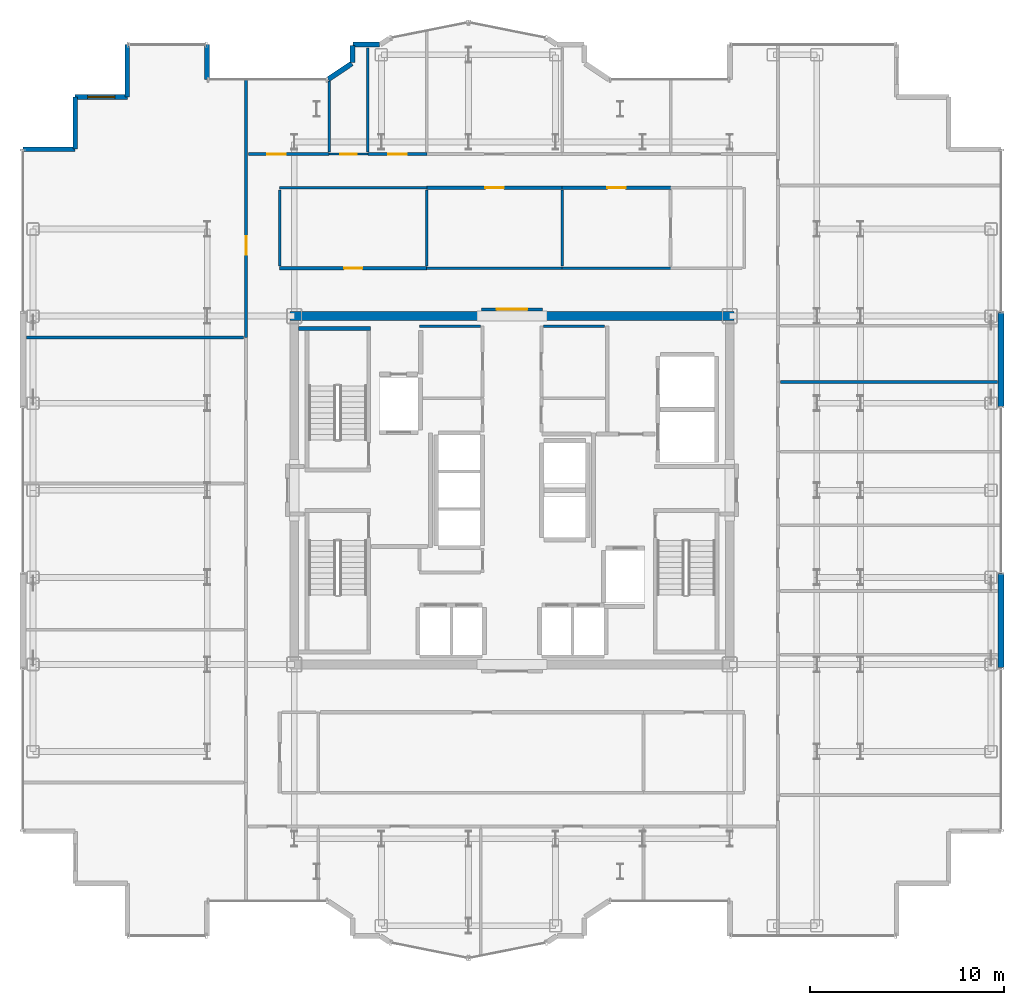
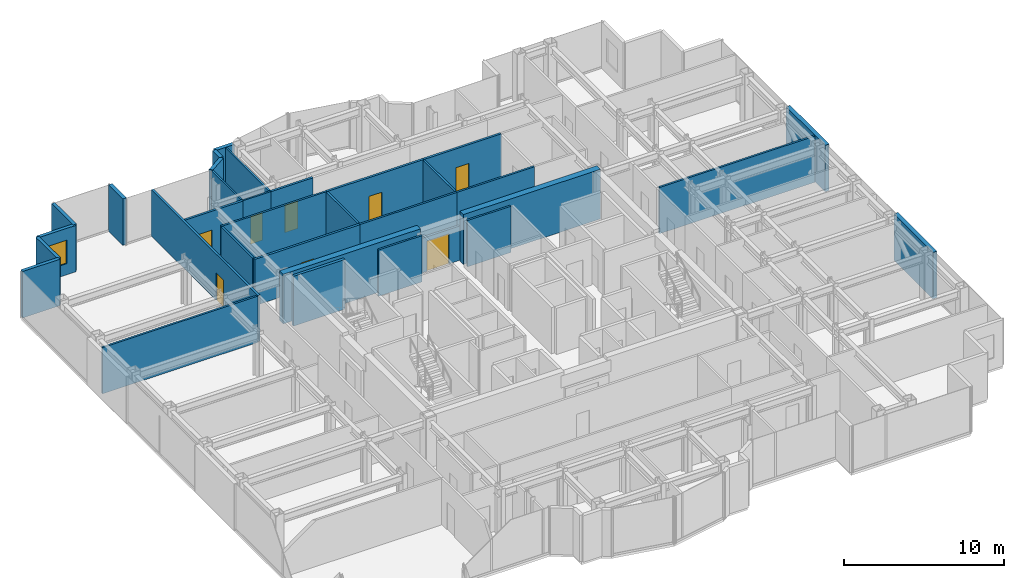
# One storey, part 19 of 21: 33 walls, 8 doors, 1 window, 9 openings.
"""IFC4 building model written with IfcOpenShell, lengths in metres."""

from ifc_helpers import new_model, si_unit, direction, frame, frame_2d, origin, place, context, subcontext, project, spatial, rectangle, extrude, source, transform, mapped, material, layer, layer_set, type_object, element, fill, save


model = new_model("IFC4")

# Units and contexts
model_context = context("Model", 3, precision=1e-05, world=origin(), true_north=direction((0.0, 1.0)))
body_context = subcontext(model_context, "Body", "Model", "MODEL_VIEW")
ifc_project = project(units=[si_unit("LENGTHUNIT", "METRE"), si_unit("AREAUNIT", "SQUARE_METRE"), si_unit("VOLUMEUNIT", "CUBIC_METRE"), si_unit("PLANEANGLEUNIT", "RADIAN"), si_unit("MASSUNIT", "GRAM", prefix="KILO")], contexts=[model_context])

# Site, building, storey
site_placement = place(None, origin())
site = spatial("IfcSite", under=ifc_project, at=site_placement, CompositionType="ELEMENT")
building_placement = place(site_placement, origin())
building = spatial("IfcBuilding", under=site, at=building_placement, Name="Nefas-Gora Pilgrimage Tower", CompositionType="ELEMENT")
storey_placement = place(building_placement, frame((0.0, 0.0, 252.199951171875)))
storey = spatial("IfcBuildingStorey", under=building, at=storey_placement, Name="L63", CompositionType="ELEMENT", Elevation=252.199951171875)

# Walls
ifc_material_1 = material(Name="Concrete C50/60", Category="concrete")
ifc_layer_1 = layer(ifc_material_1, 0.449951171875)
ifc_layer_set_1 = layer_set([ifc_layer_1], Name="Concrete C50/60")
wall_type_1 = type_object("IfcWallType", Name="SW-CORE-450", PredefinedType="SHEAR", material=ifc_layer_set_1)
shared_shape_1 = source(origin(), body_context, "Body", "SweptSolid", [
    extrude(rectangle(XDim=9.925048828125, YDim=0.449951171875, at=frame_2d((4.96240234375, 0.0))), origin(), (0.0, 0.0, 1.0), 3.800048828125),
])
for number, where, z_axis, x_axis, name in (
    (1, (-11.47509765625, 9.0, 0.0), (0.0, 0.0, 1.0), (1.0, 0.0, 0.0), "L63 Core Shear Wall N-West"),
    (2, (1.550048828125, 9.0, 0.0), (0.0, 0.0, 1.0), (1.0, 0.0, 0.0), "L63 Core Shear Wall N-East"),
):
    element("IfcWall", number, at=place(storey_placement, frame(where, z_axis=z_axis, x_axis=x_axis)), inside=storey, type_object=wall_type_1, Name=name, PredefinedType="SHEAR", context=body_context, shape_type="MappedRepresentation", body=[
        mapped(shared_shape_1, transform((0.0, 0.0, 0.0), x_axis=(1.0, 0.0, 0.0), y_axis=(0.0, 1.0, 0.0), z_axis=(0.0, 0.0, 1.0), scale=1.0)),
    ])
ifc_material_2 = material(Name="Precast concrete C45/55", Category="concrete")
ifc_layer_2 = layer(ifc_material_2, 0.239990234375)
ifc_layer_set_2 = layer_set([ifc_layer_2], Name="Precast concrete C45/55")
wall_type_2 = type_object("IfcWallType", Name="EW-SERR-240", PredefinedType="SHEAR", material=ifc_layer_set_2)
shared_shape_2 = source(origin(), body_context, "Body", "SweptSolid", [
    extrude(rectangle(XDim=4.8798828125, YDim=0.300048828125, at=frame_2d((2.43994140625, 0.0))), origin(), (0.0, 0.0, 1.0), 3.550048828125),
])
for number, where, z_axis, x_axis, name in (
    (3, (25.27001953125, -9.18994140625, 0.0), (0.0, 0.0, 1.0), (0.0, 1.0, 0.0), "L63 Braced-Tube Precast Shear Cladding 3"),
    (4, (25.27001953125, 4.31005859375, 0.0), (0.0, 0.0, 1.0), (0.0, 1.0, 0.0), "L63 Braced-Tube Precast Shear Cladding 4"),
):
    element("IfcWall", number, at=place(storey_placement, frame(where, z_axis=z_axis, x_axis=x_axis)), inside=storey, type_object=wall_type_2, Name=name, PredefinedType="SHEAR", context=body_context, shape_type="MappedRepresentation", body=[
        mapped(shared_shape_2, transform((0.0, 0.0, 0.0), x_axis=(1.0, 0.0, 0.0), y_axis=(0.0, 1.0, 0.0), z_axis=(0.0, 0.0, 1.0), scale=1.0)),
    ])
ifc_material_3 = material(Name="Precast concrete C40/50", Category="concrete")
ifc_layer_3 = layer(ifc_material_3, 0.260009765625)
ifc_layer_set_3 = layer_set([ifc_layer_3], Name="Precast concrete C40/50")
wall_type_3 = type_object("IfcWallType", Name="EW-PORTAL-260", PredefinedType="SOLIDWALL", material=ifc_layer_set_3)
shared_shape_3 = source(origin(), body_context, "Body", "SweptSolid", [
    extrude(rectangle(XDim=1.800048828125, YDim=0.260009765625, at=frame_2d((0.89990234375, 0.0))), origin(), (0.0, 0.0, 1.0), 3.550048828125),
])
wall_1_placement = place(storey_placement, frame((-15.75, 21.219970703125, 0.0), z_axis=(0.0, 0.0, 1.0), x_axis=(0.0, 1.0, 0.0)))
element("IfcWall", 5, at=wall_1_placement, inside=storey, type_object=wall_type_3, Name="L63 Lobe Shoulder Precast Spandrel Pier 23", PredefinedType="SOLIDWALL", context=body_context, shape_type="MappedRepresentation", body=[
    mapped(shared_shape_3, transform((0.0, 0.0, 0.0), x_axis=(1.0, 0.0, 0.0), y_axis=(0.0, 1.0, 0.0), z_axis=(0.0, 0.0, 1.0), scale=1.0)),
])
shared_shape_4 = source(origin(), body_context, "Body", "SweptSolid", [
    extrude(rectangle(XDim=2.699951171875, YDim=0.239990234375, at=frame_2d((1.35009765625, 0.0))), origin(), (0.0, 0.0, 1.0), 3.550048828125),
])
wall_2_placement = place(storey_placement, frame((-19.8701171875, 23.02001953125, 0.0), z_axis=(0.0, 0.0, 1.0), x_axis=(0.0, -1.0, 0.0)))
element("IfcWall", 6, at=wall_2_placement, inside=storey, type_object=wall_type_2, Name="L63 Serrated Corner Shear Pier Wall 24", PredefinedType="SHEAR", context=body_context, shape_type="MappedRepresentation", body=[
    mapped(shared_shape_4, transform((0.0, 0.0, 0.0), x_axis=(1.0, 0.0, 0.0), y_axis=(0.0, 1.0, 0.0), z_axis=(0.0, 0.0, 1.0), scale=1.0)),
])

# Wall, opening, window
wall_3_placement = place(storey_placement, frame((-19.8701171875, 20.320068359375, 0.0), z_axis=(0.0, 0.0, 1.0), x_axis=(-1.0, 0.0, 0.0)))
wall_3 = element("IfcWall", 7, at=wall_3_placement, inside=storey, type_object=wall_type_2, Name="L63 Serrated Corner Shear Pier Wall 25", PredefinedType="SHEAR", context=body_context, shape_type="MappedRepresentation", body=[
    mapped(shared_shape_4, transform((0.0, 0.0, 0.0), x_axis=(1.0, 0.0, 0.0), y_axis=(0.0, 1.0, 0.0), z_axis=(0.0, 0.0, 1.0), scale=1.0)),
])
opening_1_placement = place(wall_3_placement, frame((0.64990234375, 0.0, 0.85009765625)))
opening_1 = element("IfcOpeningElement", 8, at=opening_1_placement, cuts=wall_3, Name="Opening W-V2", PredefinedType="OPENING", context=body_context, shape_type="SweptSolid", body=[
    extrude(rectangle(XDim=1.39990234375, YDim=1.800048828125, at=frame_2d((0.699951171875, 0.89990234375))), frame((0.0, 0.1298828125, 0.0), z_axis=(0.0, -1.0, 0.0), x_axis=(1.0, 0.0, 0.0)), (0.0, 0.0, 1.0), 0.260009765625),
])
ifc_material_4 = material(Name="Dark ceramic-fritted operable aluminium-glass window", Category="aluminium")
window_type = type_object("IfcWindowType", Name="WIN-VENT-1400x1800", PartitioningType="SINGLE_PANEL", PredefinedType="WINDOW", material=ifc_material_4)
shared_shape_5 = source(origin(), body_context, "Body", "SweptSolid", [
    extrude(rectangle(XDim=1.39990234375, YDim=1.800048828125, at=frame_2d((0.699951171875, 0.89990234375))), frame((0.0, 0.030029296875, 0.0), z_axis=(0.0, -1.0, 0.0), x_axis=(1.0, 0.0, 0.0)), (0.0, 0.0, 1.0), 0.06005859375),
])
window_placement = place(opening_1_placement, origin())
window = element("IfcWindow", 9, at=window_placement, inside=storey, type_object=window_type, Name="L63 Operable Parallel-Outswing Window 25", OverallHeight=1.800048828125, OverallWidth=1.39990234375, PartitioningType="SINGLE_PANEL", PredefinedType="WINDOW", context=body_context, shape_type="MappedRepresentation", body=[
    mapped(shared_shape_5, transform((0.0, 0.0, 0.0), x_axis=(1.0, 0.0, 0.0), y_axis=(0.0, 1.0, 0.0), z_axis=(0.0, 0.0, 1.0), scale=1.0)),
])
fill(opening_1, window)

# Walls
for number, where, z_axis, x_axis, name in (
    (10, (-22.570068359375, 20.320068359375, 0.0), (0.0, 0.0, 1.0), (0.0, -1.0, 0.0), "L63 Serrated Corner Shear Pier Wall 26"),
    (11, (-22.570068359375, 17.6201171875, 0.0), (0.0, 0.0, 1.0), (-1.0, 0.0, 0.0), "L63 Serrated Corner Shear Pier Wall 27"),
):
    element("IfcWall", number, at=place(storey_placement, frame(where, z_axis=z_axis, x_axis=x_axis)), inside=storey, type_object=wall_type_2, Name=name, PredefinedType="SHEAR", context=body_context, shape_type="MappedRepresentation", body=[
        mapped(shared_shape_4, transform((0.0, 0.0, 0.0), x_axis=(1.0, 0.0, 0.0), y_axis=(0.0, 1.0, 0.0), z_axis=(0.0, 0.0, 1.0), scale=1.0)),
    ])
shared_shape_6 = source(origin(), body_context, "Body", "SweptSolid", [
    extrude(rectangle(XDim=1.468994140625, YDim=0.260009765625, at=frame_2d((0.734375, 0.0))), origin(), (0.0, 0.0, 1.0), 3.550048828125),
])
wall_4_placement = place(storey_placement, frame((-8.273193359375, 22.0517578125, 0.0), z_axis=(0.0, 0.0, 1.0), x_axis=(-0.831461760506, -0.555581983884, 0.0)))
element("IfcWall", 12, at=wall_4_placement, inside=storey, type_object=wall_type_3, Name="L63 Lobe Shoulder Precast Spandrel Pier 22", PredefinedType="SOLIDWALL", context=body_context, shape_type="MappedRepresentation", body=[
    mapped(shared_shape_6, transform((0.0, 0.0, 0.0), x_axis=(1.0, 0.0, 0.0), y_axis=(0.0, 1.0, 0.0), z_axis=(0.0, 0.0, 1.0), scale=1.0)),
])
shared_shape_7 = source(origin(), body_context, "Body", "SweptSolid", [
    extrude(rectangle(XDim=0.896728515625, YDim=0.260009765625, at=frame_2d((0.4482421875, 0.0))), origin(), (0.0, 0.0, 1.0), 3.550048828125),
])
wall_5_placement = place(storey_placement, frame((-8.25, 22.991943359375, 0.0), z_axis=(0.0, 0.0, 1.0), x_axis=(0.0, -1.0, 0.0)))
element("IfcWall", 13, at=wall_5_placement, inside=storey, type_object=wall_type_3, Name="L63 Lobe Shoulder Precast Spandrel Pier 21", PredefinedType="SOLIDWALL", context=body_context, shape_type="MappedRepresentation", body=[
    mapped(shared_shape_7, transform((0.0, 0.0, 0.0), x_axis=(1.0, 0.0, 0.0), y_axis=(0.0, 1.0, 0.0), z_axis=(0.0, 0.0, 1.0), scale=1.0)),
])
shared_shape_8 = source(origin(), body_context, "Body", "SweptSolid", [
    extrude(rectangle(XDim=1.369873046875, YDim=0.260009765625, at=frame_2d((0.68505859375, 0.0))), origin(), (0.0, 0.0, 1.0), 3.550048828125),
])
wall_6_placement = place(storey_placement, frame((-6.85205078125, 23.02001953125, 0.0), z_axis=(0.0, 0.0, 1.0), x_axis=(-1.0, 0.0, 0.0)))
element("IfcWall", 14, at=wall_6_placement, inside=storey, type_object=wall_type_3, Name="L63 Lobe Shoulder Precast Spandrel Pier 20", PredefinedType="SOLIDWALL", context=body_context, shape_type="MappedRepresentation", body=[
    mapped(shared_shape_8, transform((0.0, 0.0, 0.0), x_axis=(1.0, 0.0, 0.0), y_axis=(0.0, 1.0, 0.0), z_axis=(0.0, 0.0, 1.0), scale=1.0)),
])
ifc_material_5 = material(Name="Concrete C45/55", Category="concrete")
ifc_layer_4 = layer(ifc_material_5, 0.199951171875)
ifc_layer_set_4 = layer_set([ifc_layer_4], Name="Concrete C45/55")
wall_type_4 = type_object("IfcWallType", Name="IW-STAIR-200", PredefinedType="SOLIDWALL", material=ifc_layer_set_4)
shared_shape_9 = source(origin(), body_context, "Body", "SweptSolid", [
    extrude(rectangle(XDim=3.72998046875, YDim=0.199951171875, at=frame_2d((1.864990234375, 0.0))), origin(), (0.0, 0.0, 1.0), 3.800048828125),
])
wall_7_placement = place(storey_placement, frame((-7.300048828125, 8.35009765625, 0.0), z_axis=(0.0, 0.0, 1.0), x_axis=(-1.0, 0.0, 0.0)))
element("IfcWall", 15, at=wall_7_placement, inside=storey, type_object=wall_type_4, Name="L63 Stairwell Shear Wall ST-01-far", PredefinedType="SOLIDWALL", context=body_context, shape_type="MappedRepresentation", body=[
    mapped(shared_shape_9, transform((0.0, 0.0, 0.0), x_axis=(1.0, 0.0, 0.0), y_axis=(0.0, 1.0, 0.0), z_axis=(0.0, 0.0, 1.0), scale=1.0)),
])
ifc_material_6 = material(Name="Gypsum twin-stud partition")
ifc_layer_5 = layer(ifc_material_6, 0.139892578125)
ifc_layer_set_5 = layer_set([ifc_layer_5], Name="Gypsum twin-stud partition")
wall_type_5 = type_object("IfcWallType", Name="IW-UNIT-140", PredefinedType="PARTITIONING", material=ifc_layer_set_5)
shared_shape_10 = source(origin(), body_context, "Body", "SweptSolid", [
    extrude(rectangle(XDim=3.150146484375, YDim=0.139892578125, at=frame_2d((1.5751953125, 0.0))), origin(), (0.0, 0.0, 1.0), 3.53515625),
])
for number, where, z_axis, x_axis, name in (
    (16, (-4.7900390625, 8.47998046875, 0.0), (0.0, 0.0, 1.0), (1.0, 0.0, 0.0), "L63 Archival Supply Store Partition Wall 21"),
    (17, (1.639892578125, 8.47998046875, 0.0), (0.0, 0.0, 1.0), (1.0, 0.0, 0.0), "L63 Amenity Supply Store Partition Wall 25"),
):
    element("IfcWall", number, at=place(storey_placement, frame(where, z_axis=z_axis, x_axis=x_axis)), inside=storey, type_object=wall_type_5, Name=name, PredefinedType="PARTITIONING", context=body_context, shape_type="MappedRepresentation", body=[
        mapped(shared_shape_10, transform((0.0, 0.0, 0.0), x_axis=(1.0, 0.0, 0.0), y_axis=(0.0, 1.0, 0.0), z_axis=(0.0, 0.0, 1.0), scale=1.0)),
    ])

# Wall, opening, door
ifc_material_7 = material(Name="Moisture-resistant fire-rated gypsum partition")
ifc_layer_6 = layer(ifc_material_7, 0.1201171875)
ifc_layer_set_6 = layer_set([ifc_layer_6], Name="Moisture-resistant fire-rated gypsum partition")
wall_type_6 = type_object("IfcWallType", Name="IW-WET-120", PredefinedType="PLUMBINGWALL", material=ifc_layer_set_6)
shared_shape_11 = source(origin(), body_context, "Body", "SweptSolid", [
    extrude(rectangle(XDim=2.02001953125, YDim=0.1201171875, at=frame_2d((1.010009765625, 0.0))), origin(), (0.0, 0.0, 1.0), 3.53515625),
])
wall_8_placement = place(storey_placement, frame((-9.4599609375, 17.3701171875, 0.0), z_axis=(0.0, 0.0, 1.0), x_axis=(1.0, 0.0, 0.0)))
wall_8 = element("IfcWall", 18, at=wall_8_placement, inside=storey, type_object=wall_type_6, Name="L63 Accessible Unisex WC Partition Wall 29", PredefinedType="PLUMBINGWALL", context=body_context, shape_type="MappedRepresentation", body=[
    mapped(shared_shape_11, transform((0.0, 0.0, 0.0), x_axis=(1.0, 0.0, 0.0), y_axis=(0.0, 1.0, 0.0), z_axis=(0.0, 0.0, 1.0), scale=1.0)),
])
opening_2_placement = place(wall_8_placement, frame((0.5849609375, 0.0, 0.0)))
opening_2 = element("IfcOpeningElement", 19, at=opening_2_placement, cuts=wall_8, Name="Opening ID-BT1", PredefinedType="OPENING", context=body_context, shape_type="SweptSolid", body=[
    extrude(rectangle(XDim=0.85009765625, YDim=2.10009765625, at=frame_2d((0.425048828125, 1.050048828125))), frame((0.0, 0.070068359375, 0.0), z_axis=(0.0, -1.0, 0.0), x_axis=(1.0, 0.0, 0.0)), (0.0, 0.0, 1.0), 0.14013671875),
])
ifc_material_8 = material(Name="Moisture-resistant fire-rated timber door", Category="wood")
door_type_1 = type_object("IfcDoorType", Name="DR-INT-BATH-850", OperationType="NOTDEFINED", PredefinedType="DOOR", material=ifc_material_8)
shared_shape_12 = source(origin(), body_context, "Body", "SweptSolid", [
    extrude(rectangle(XDim=0.85009765625, YDim=2.10009765625, at=frame_2d((0.425048828125, 1.050048828125))), frame((0.0, 0.02490234375, 0.0), z_axis=(0.0, -1.0, 0.0), x_axis=(1.0, 0.0, 0.0)), (0.0, 0.0, 1.0), 0.050048828125),
])
door_1_placement = place(opening_2_placement, origin())
door_1 = element("IfcDoor", 20, at=door_1_placement, inside=storey, type_object=door_type_1, Name="L63 Accessible Unisex WC Door 12", OperationType="SINGLE_SWING_RIGHT", OverallHeight=2.10009765625, OverallWidth=0.85009765625, PredefinedType="DOOR", context=body_context, shape_type="MappedRepresentation", body=[
    mapped(shared_shape_12, transform((0.0, 0.0, 0.0), x_axis=(1.0, 0.0, 0.0), y_axis=(0.0, 1.0, 0.0), z_axis=(0.0, 0.0, 1.0), scale=1.0)),
])
fill(opening_2, door_1)

ifc_material_9 = material(Name="Gypsum acoustic stud partition")
ifc_layer_7 = layer(ifc_material_9, 0.159912109375)
ifc_layer_set_7 = layer_set([ifc_layer_7], Name="Gypsum acoustic stud partition")
wall_type_7 = type_object("IfcWallType", Name="IW-CORR-160", PredefinedType="PARTITIONING", material=ifc_layer_set_7)
shared_shape_13 = source(origin(), body_context, "Body", "SweptSolid", [
    extrude(rectangle(XDim=5.610107421875, YDim=0.159912109375, at=frame_2d((2.80517578125, 0.0))), origin(), (0.0, 0.0, 1.0), 3.53515625),
])
wall_9_placement = place(storey_placement, frame((2.594970703125, 15.6298828125, 0.0), z_axis=(0.0, 0.0, 1.0), x_axis=(1.0, 0.0, 0.0)))
wall_9 = element("IfcWall", 21, at=wall_9_placement, inside=storey, type_object=wall_type_7, Name="L63 Pilgrim Contemplative Lounge Partition Wall 72", PredefinedType="PARTITIONING", context=body_context, shape_type="MappedRepresentation", body=[
    mapped(shared_shape_13, transform((0.0, 0.0, 0.0), x_axis=(1.0, 0.0, 0.0), y_axis=(0.0, 1.0, 0.0), z_axis=(0.0, 0.0, 1.0), scale=1.0)),
])
opening_3_placement = place(wall_9_placement, frame((2.330078125, 0.0, 0.0)))
opening_3 = element("IfcOpeningElement", 22, at=opening_3_placement, cuts=wall_9, Name="Opening ID-GR1", PredefinedType="OPENING", context=body_context, shape_type="SweptSolid", body=[
    extrude(rectangle(XDim=0.949951171875, YDim=2.10009765625, at=frame_2d((0.47509765625, 1.050048828125))), frame((0.0, 0.08984375, 0.0), z_axis=(0.0, -1.0, 0.0), x_axis=(1.0, 0.0, 0.0)), (0.0, 0.0, 1.0), 0.179931640625),
])
ifc_material_10 = material(Name="Solid core oak fire-rated guest entrance door")
door_type_2 = type_object("IfcDoorType", Name="DR-INT-GUEST-950", OperationType="NOTDEFINED", PredefinedType="DOOR", material=ifc_material_10)
shared_shape_14 = source(origin(), body_context, "Body", "SweptSolid", [
    extrude(rectangle(XDim=0.949951171875, YDim=2.10009765625, at=frame_2d((0.47509765625, 1.050048828125))), frame((0.0, 0.02490234375, 0.0), z_axis=(0.0, -1.0, 0.0), x_axis=(1.0, 0.0, 0.0)), (0.0, 0.0, 1.0), 0.050048828125),
])
door_2_placement = place(opening_3_placement, origin())
door_2 = element("IfcDoor", 23, at=door_2_placement, inside=storey, type_object=door_type_2, Name="L63 Pilgrim Contemplative Lounge Door 33", OperationType="SINGLE_SWING_LEFT", OverallHeight=2.10009765625, OverallWidth=0.949951171875, PredefinedType="DOOR", context=body_context, shape_type="MappedRepresentation", body=[
    mapped(shared_shape_14, transform((0.0, 0.0, 0.0), x_axis=(1.0, 0.0, 0.0), y_axis=(0.0, 1.0, 0.0), z_axis=(0.0, 0.0, 1.0), scale=1.0)),
])
fill(opening_3, door_2)

shared_shape_15 = source(origin(), body_context, "Body", "SweptSolid", [
    extrude(rectangle(XDim=13.3525390625, YDim=0.159912109375, at=frame_2d((6.67626953125, 0.0))), origin(), (0.0, 0.0, 1.0), 3.53515625),
])
wall_10_placement = place(storey_placement, frame((-13.739990234375, 7.887451171875, 0.0), z_axis=(0.0, 0.0, 1.0), x_axis=(0.0, 1.0, 0.0)))
wall_10 = element("IfcWall", 24, at=wall_10_placement, inside=storey, type_object=wall_type_7, Name="L63 Pilgrim Devotional Prayer Gallery Partition Wall 36", PredefinedType="PARTITIONING", context=body_context, shape_type="MappedRepresentation", body=[
    mapped(shared_shape_15, transform((0.0, 0.0, 0.0), x_axis=(1.0, 0.0, 0.0), y_axis=(0.0, 1.0, 0.0), z_axis=(0.0, 0.0, 1.0), scale=1.0)),
])
opening_4_placement = place(wall_10_placement, frame((4.286376953125, 0.0, 0.0)))
opening_4 = element("IfcOpeningElement", 25, at=opening_4_placement, cuts=wall_10, Name="Opening ID-GR1", PredefinedType="OPENING", context=body_context, shape_type="SweptSolid", body=[
    extrude(rectangle(XDim=0.949951171875, YDim=2.10009765625, at=frame_2d((0.47509765625, 1.050048828125))), frame((0.0, 0.08984375, 0.0), z_axis=(0.0, -1.0, 0.0), x_axis=(1.0, 0.0, 0.0)), (0.0, 0.0, 1.0), 0.179931640625),
])
door_3_placement = place(opening_4_placement, origin())
door_3 = element("IfcDoor", 26, at=door_3_placement, inside=storey, type_object=door_type_2, Name="L63 Pilgrim Devotional Prayer Gallery Door 15", OperationType="SINGLE_SWING_LEFT", OverallHeight=2.10009765625, OverallWidth=0.949951171875, PredefinedType="DOOR", context=body_context, shape_type="MappedRepresentation", body=[
    mapped(shared_shape_14, transform((0.0, 0.0, 0.0), x_axis=(1.0, 0.0, 0.0), y_axis=(0.0, 1.0, 0.0), z_axis=(0.0, 0.0, 1.0), scale=1.0)),
])
fill(opening_4, door_3)

# Walls
shared_shape_16 = source(origin(), body_context, "Body", "SweptSolid", [
    extrude(rectangle(XDim=5.380126953125, YDim=0.1201171875, at=frame_2d((2.68994140625, 0.0))), origin(), (0.0, 0.0, 1.0), 3.53515625),
])
wall_11_placement = place(storey_placement, frame((-7.449951171875, 17.469970703125, 0.0), z_axis=(0.0, 0.0, 1.0), x_axis=(0.0, 1.0, 0.0)))
element("IfcWall", 27, at=wall_11_placement, inside=storey, type_object=wall_type_6, Name="L63 Accessible Unisex WC Partition Wall 30", PredefinedType="PLUMBINGWALL", context=body_context, shape_type="MappedRepresentation", body=[
    mapped(shared_shape_16, transform((0.0, 0.0, 0.0), x_axis=(1.0, 0.0, 0.0), y_axis=(0.0, 1.0, 0.0), z_axis=(0.0, 0.0, 1.0), scale=1.0)),
])
shared_shape_17 = source(origin(), body_context, "Body", "SweptSolid", [
    extrude(rectangle(XDim=3.686767578125, YDim=0.1201171875, at=frame_2d((1.84326171875, 0.0))), origin(), (0.0, 0.0, 1.0), 3.53515625),
])
wall_12_placement = place(storey_placement, frame((-9.449951171875, 17.469970703125, 0.0), z_axis=(0.0, 0.0, 1.0), x_axis=(0.0, 1.0, 0.0)))
element("IfcWall", 28, at=wall_12_placement, inside=storey, type_object=wall_type_6, Name="L63 Accessible Unisex WC Partition Wall 31", PredefinedType="PLUMBINGWALL", context=body_context, shape_type="MappedRepresentation", body=[
    mapped(shared_shape_17, transform((0.0, 0.0, 0.0), x_axis=(1.0, 0.0, 0.0), y_axis=(0.0, 1.0, 0.0), z_axis=(0.0, 0.0, 1.0), scale=1.0)),
])
shared_shape_18 = source(origin(), body_context, "Body", "SweptSolid", [
    extrude(rectangle(XDim=3.929931640625, YDim=0.139892578125, at=frame_2d((1.96484375, 0.0))), origin(), (0.0, 0.0, 1.0), 3.53515625),
])
for number, where, z_axis, x_axis, name in (
    (29, (-12.0, 11.590087890625, 0.0), (0.0, 0.0, 1.0), (0.0, 1.0, 0.0), "L63 Pilgrim Contemplative Lounge Partition Wall 60"),
    (30, (-4.405029296875, 11.590087890625, 0.0), (0.0, 0.0, 1.0), (0.0, 1.0, 0.0), "L63 Pilgrim Contemplative Lounge Partition Wall 61"),
    (31, (2.594970703125, 11.580078125, 0.0), (0.0, 0.0, 1.0), (0.0, 1.0, 0.0), "L63 Pilgrim Contemplative Lounge Partition Wall 69"),
):
    element("IfcWall", number, at=place(storey_placement, frame(where, z_axis=z_axis, x_axis=x_axis)), inside=storey, type_object=wall_type_5, Name=name, PredefinedType="PARTITIONING", context=body_context, shape_type="MappedRepresentation", body=[
        mapped(shared_shape_18, transform((0.0, 0.0, 0.0), x_axis=(1.0, 0.0, 0.0), y_axis=(0.0, 1.0, 0.0), z_axis=(0.0, 0.0, 1.0), scale=1.0)),
    ])

# Wall, opening, door
shared_shape_19 = source(origin(), body_context, "Body", "SweptSolid", [
    extrude(rectangle(XDim=4.16015625, YDim=0.159912109375, at=frame_2d((2.080078125, 0.0))), origin(), (0.0, 0.0, 1.0), 3.53515625),
])
wall_13_placement = place(storey_placement, frame((-13.6201171875, 17.3701171875, 0.0), z_axis=(0.0, 0.0, 1.0), x_axis=(1.0, 0.0, 0.0)))
wall_13 = element("IfcWall", 32, at=wall_13_placement, inside=storey, type_object=wall_type_7, Name="L63 Pilgrim Contemplative Lounge Partition Wall 64", PredefinedType="PARTITIONING", context=body_context, shape_type="MappedRepresentation", body=[
    mapped(shared_shape_19, transform((0.0, 0.0, 0.0), x_axis=(1.0, 0.0, 0.0), y_axis=(0.0, 1.0, 0.0), z_axis=(0.0, 0.0, 1.0), scale=1.0)),
])
opening_5_placement = place(wall_13_placement, frame((0.968994140625, 0.0, 0.0)))
opening_5 = element("IfcOpeningElement", 33, at=opening_5_placement, cuts=wall_13, Name="Opening ID-GR1", PredefinedType="OPENING", context=body_context, shape_type="SweptSolid", body=[
    extrude(rectangle(XDim=0.949951171875, YDim=2.10009765625, at=frame_2d((0.47509765625, 1.050048828125))), frame((0.0, 0.08984375, 0.0), z_axis=(0.0, -1.0, 0.0), x_axis=(1.0, 0.0, 0.0)), (0.0, 0.0, 1.0), 0.179931640625),
])
door_4_placement = place(opening_5_placement, origin())
door_4 = element("IfcDoor", 34, at=door_4_placement, inside=storey, type_object=door_type_2, Name="L63 Pilgrim Contemplative Lounge Door 29", OperationType="SINGLE_SWING_LEFT", OverallHeight=2.10009765625, OverallWidth=0.949951171875, PredefinedType="DOOR", context=body_context, shape_type="MappedRepresentation", body=[
    mapped(shared_shape_14, transform((0.0, 0.0, 0.0), x_axis=(1.0, 0.0, 0.0), y_axis=(0.0, 1.0, 0.0), z_axis=(0.0, 0.0, 1.0), scale=1.0)),
])
fill(opening_5, door_4)

# Walls
shared_shape_20 = source(origin(), body_context, "Body", "SweptSolid", [
    extrude(rectangle(XDim=11.219970703125, YDim=0.139892578125, at=frame_2d((5.60986328125, 0.0))), origin(), (0.0, 0.0, 1.0), 3.53515625),
])
for number, where, z_axis, x_axis, name in (
    (35, (-25.080078125, 7.8974609375, 0.0), (0.0, 0.0, 1.0), (1.0, 0.0, 0.0), "L63 Pilgrim Devotional Prayer Gallery Partition Wall 37"),
    (36, (13.860107421875, 5.594970703125, 0.0), (0.0, 0.0, 1.0), (1.0, 0.0, 0.0), "L63 Pilgrim Contemplative Lounge Partition Wall 52"),
):
    element("IfcWall", number, at=place(storey_placement, frame(where, z_axis=z_axis, x_axis=x_axis)), inside=storey, type_object=wall_type_5, Name=name, PredefinedType="PARTITIONING", context=body_context, shape_type="MappedRepresentation", body=[
        mapped(shared_shape_20, transform((0.0, 0.0, 0.0), x_axis=(1.0, 0.0, 0.0), y_axis=(0.0, 1.0, 0.0), z_axis=(0.0, 0.0, 1.0), scale=1.0)),
    ])

# Wall, opening, door
shared_shape_21 = source(origin(), body_context, "Body", "SweptSolid", [
    extrude(rectangle(XDim=7.010009765625, YDim=0.159912109375, at=frame_2d((3.5048828125, 0.0))), origin(), (0.0, 0.0, 1.0), 3.53515625),
])
wall_14_placement = place(storey_placement, frame((-4.405029296875, 15.6298828125, 0.0), z_axis=(0.0, 0.0, 1.0), x_axis=(1.0, 0.0, 0.0)))
wall_14 = element("IfcWall", 37, at=wall_14_placement, inside=storey, type_object=wall_type_7, Name="L63 Pilgrim Contemplative Lounge Partition Wall 67", PredefinedType="PARTITIONING", context=body_context, shape_type="MappedRepresentation", body=[
    mapped(shared_shape_21, transform((0.0, 0.0, 0.0), x_axis=(1.0, 0.0, 0.0), y_axis=(0.0, 1.0, 0.0), z_axis=(0.0, 0.0, 1.0), scale=1.0)),
])
opening_6_placement = place(wall_14_placement, frame((3.030029296875, 0.0, 0.0)))
opening_6 = element("IfcOpeningElement", 38, at=opening_6_placement, cuts=wall_14, Name="Opening ID-GR1", PredefinedType="OPENING", context=body_context, shape_type="SweptSolid", body=[
    extrude(rectangle(XDim=0.949951171875, YDim=2.10009765625, at=frame_2d((0.47509765625, 1.050048828125))), frame((0.0, 0.08984375, 0.0), z_axis=(0.0, -1.0, 0.0), x_axis=(1.0, 0.0, 0.0)), (0.0, 0.0, 1.0), 0.179931640625),
])
door_5_placement = place(opening_6_placement, origin())
door_5 = element("IfcDoor", 39, at=door_5_placement, inside=storey, type_object=door_type_2, Name="L63 Pilgrim Contemplative Lounge Door 31", OperationType="SINGLE_SWING_LEFT", OverallHeight=2.10009765625, OverallWidth=0.949951171875, PredefinedType="DOOR", context=body_context, shape_type="MappedRepresentation", body=[
    mapped(shared_shape_14, transform((0.0, 0.0, 0.0), x_axis=(1.0, 0.0, 0.0), y_axis=(0.0, 1.0, 0.0), z_axis=(0.0, 0.0, 1.0), scale=1.0)),
])
fill(opening_6, door_5)

# Wall
shared_shape_22 = source(origin(), body_context, "Body", "SweptSolid", [
    extrude(rectangle(XDim=7.010009765625, YDim=0.139892578125, at=frame_2d((3.5048828125, 0.0))), origin(), (0.0, 0.0, 1.0), 3.53515625),
])
wall_15_placement = place(storey_placement, frame((-4.405029296875, 11.469970703125, 0.0), z_axis=(0.0, 0.0, 1.0), x_axis=(1.0, 0.0, 0.0)))
element("IfcWall", 40, at=wall_15_placement, inside=storey, type_object=wall_type_5, Name="L63 Pilgrim Contemplative Lounge Partition Wall 68", PredefinedType="PARTITIONING", context=body_context, shape_type="MappedRepresentation", body=[
    mapped(shared_shape_22, transform((0.0, 0.0, 0.0), x_axis=(1.0, 0.0, 0.0), y_axis=(0.0, 1.0, 0.0), z_axis=(0.0, 0.0, 1.0), scale=1.0)),
])

# Wall, opening, door
shared_shape_23 = source(origin(), body_context, "Body", "SweptSolid", [
    extrude(rectangle(XDim=3.16015625, YDim=0.159912109375, at=frame_2d((1.580078125, 0.0))), origin(), (0.0, 0.0, 1.0), 2.625),
])
wall_16_placement = place(storey_placement, frame((-1.580078125, 9.35009765625, 0.0), z_axis=(0.0, 0.0, 1.0), x_axis=(1.0, 0.0, 0.0)))
wall_16 = element("IfcWall", 41, at=wall_16_placement, inside=storey, type_object=wall_type_7, Name="L63 Central Lift Lobby North Portal Wall 15", PredefinedType="PARTITIONING", context=body_context, shape_type="MappedRepresentation", body=[
    mapped(shared_shape_23, transform((0.0, 0.0, 0.0), x_axis=(1.0, 0.0, 0.0), y_axis=(0.0, 1.0, 0.0), z_axis=(0.0, 0.0, 1.0), scale=1.0)),
])
opening_7_placement = place(wall_16_placement, frame((0.780029296875, 0.0, 0.0)))
opening_7 = element("IfcOpeningElement", 42, at=opening_7_placement, cuts=wall_16, Name="Opening ID-HL1", PredefinedType="OPENING", context=body_context, shape_type="SweptSolid", body=[
    extrude(rectangle(XDim=1.60009765625, YDim=2.300048828125, at=frame_2d((0.800048828125, 1.14990234375))), frame((0.0, 0.08984375, 0.0), z_axis=(0.0, -1.0, 0.0), x_axis=(1.0, 0.0, 0.0)), (0.0, 0.0, 1.0), 0.179931640625),
])
ifc_material_11 = material(Name="Double acoustic timber assembly hall door", Category="wood")
door_type_3 = type_object("IfcDoorType", Name="DR-INT-HALL-1600", OperationType="DOUBLE_DOOR_SINGLE_SWING", PredefinedType="DOOR", material=ifc_material_11)
shared_shape_24 = source(origin(), body_context, "Body", "SweptSolid", [
    extrude(rectangle(XDim=1.60009765625, YDim=2.300048828125, at=frame_2d((0.800048828125, 1.14990234375))), frame((0.0, 0.02490234375, 0.0), z_axis=(0.0, -1.0, 0.0), x_axis=(1.0, 0.0, 0.0)), (0.0, 0.0, 1.0), 0.050048828125),
])
door_6_placement = place(opening_7_placement, origin())
door_6 = element("IfcDoor", 43, at=door_6_placement, inside=storey, type_object=door_type_3, Name="L63 Central Lift Lobby North Portal Door 5", OperationType="DOUBLE_DOOR_SINGLE_SWING", OverallHeight=2.300048828125, OverallWidth=1.60009765625, PredefinedType="DOOR", context=body_context, shape_type="MappedRepresentation", body=[
    mapped(shared_shape_24, transform((0.0, 0.0, 0.0), x_axis=(1.0, 0.0, 0.0), y_axis=(0.0, 1.0, 0.0), z_axis=(0.0, 0.0, 1.0), scale=1.0)),
])
fill(opening_7, door_6)

# Wall
shared_shape_25 = source(origin(), body_context, "Body", "SweptSolid", [
    extrude(rectangle(XDim=5.610107421875, YDim=0.139892578125, at=frame_2d((2.80517578125, 0.0))), origin(), (0.0, 0.0, 1.0), 3.53515625),
])
wall_17_placement = place(storey_placement, frame((2.594970703125, 11.469970703125, 0.0), z_axis=(0.0, 0.0, 1.0), x_axis=(1.0, 0.0, 0.0)))
element("IfcWall", 44, at=wall_17_placement, inside=storey, type_object=wall_type_5, Name="L63 Pilgrim Contemplative Lounge Partition Wall 73", PredefinedType="PARTITIONING", context=body_context, shape_type="MappedRepresentation", body=[
    mapped(shared_shape_25, transform((0.0, 0.0, 0.0), x_axis=(1.0, 0.0, 0.0), y_axis=(0.0, 1.0, 0.0), z_axis=(0.0, 0.0, 1.0), scale=1.0)),
])

# Wall, opening, door
shared_shape_26 = source(origin(), body_context, "Body", "SweptSolid", [
    extrude(rectangle(XDim=7.614990234375, YDim=0.159912109375, at=frame_2d((3.8076171875, 0.0))), origin(), (0.0, 0.0, 1.0), 3.53515625),
])
wall_18_placement = place(storey_placement, frame((-12.010009765625, 11.469970703125, 0.0), z_axis=(0.0, 0.0, 1.0), x_axis=(1.0, 0.0, 0.0)))
wall_18 = element("IfcWall", 45, at=wall_18_placement, inside=storey, type_object=wall_type_7, Name="L63 Pilgrim Contemplative Lounge Partition Wall 58", PredefinedType="PARTITIONING", context=body_context, shape_type="MappedRepresentation", body=[
    mapped(shared_shape_26, transform((0.0, 0.0, 0.0), x_axis=(1.0, 0.0, 0.0), y_axis=(0.0, 1.0, 0.0), z_axis=(0.0, 0.0, 1.0), scale=1.0)),
])
opening_8_placement = place(wall_18_placement, frame((3.33251953125, 0.0, 0.0)))
opening_8 = element("IfcOpeningElement", 46, at=opening_8_placement, cuts=wall_18, Name="Opening ID-GR1", PredefinedType="OPENING", context=body_context, shape_type="SweptSolid", body=[
    extrude(rectangle(XDim=0.949951171875, YDim=2.10009765625, at=frame_2d((0.47509765625, 1.050048828125))), frame((0.0, 0.08984375, 0.0), z_axis=(0.0, -1.0, 0.0), x_axis=(1.0, 0.0, 0.0)), (0.0, 0.0, 1.0), 0.179931640625),
])
door_7_placement = place(opening_8_placement, origin())
door_7 = element("IfcDoor", 47, at=door_7_placement, inside=storey, type_object=door_type_2, Name="L63 Pilgrim Contemplative Lounge Door 27", OperationType="SINGLE_SWING_LEFT", OverallHeight=2.10009765625, OverallWidth=0.949951171875, PredefinedType="DOOR", context=body_context, shape_type="MappedRepresentation", body=[
    mapped(shared_shape_14, transform((0.0, 0.0, 0.0), x_axis=(1.0, 0.0, 0.0), y_axis=(0.0, 1.0, 0.0), z_axis=(0.0, 0.0, 1.0), scale=1.0)),
])
fill(opening_8, door_7)

# Wall
shared_shape_27 = source(origin(), body_context, "Body", "SweptSolid", [
    extrude(rectangle(XDim=7.614990234375, YDim=0.139892578125, at=frame_2d((3.8076171875, 0.0))), origin(), (0.0, 0.0, 1.0), 3.53515625),
])
wall_19_placement = place(storey_placement, frame((-12.010009765625, 15.6298828125, 0.0), z_axis=(0.0, 0.0, 1.0), x_axis=(1.0, 0.0, 0.0)))
element("IfcWall", 48, at=wall_19_placement, inside=storey, type_object=wall_type_5, Name="L63 Pilgrim Contemplative Lounge Partition Wall 59", PredefinedType="PARTITIONING", context=body_context, shape_type="MappedRepresentation", body=[
    mapped(shared_shape_27, transform((0.0, 0.0, 0.0), x_axis=(1.0, 0.0, 0.0), y_axis=(0.0, 1.0, 0.0), z_axis=(0.0, 0.0, 1.0), scale=1.0)),
])

# Wall, opening, door
shared_shape_28 = source(origin(), body_context, "Body", "SweptSolid", [
    extrude(rectangle(XDim=3.044921875, YDim=0.159912109375, at=frame_2d((1.5224609375, 0.0))), origin(), (0.0, 0.0, 1.0), 3.53515625),
])
wall_20_placement = place(storey_placement, frame((-7.43994140625, 17.3701171875, 0.0), z_axis=(0.0, 0.0, 1.0), x_axis=(1.0, 0.0, 0.0)))
wall_20 = element("IfcWall", 49, at=wall_20_placement, inside=storey, type_object=wall_type_7, Name="L63 Pilgrim Contemplative Lounge Partition Wall 62", PredefinedType="PARTITIONING", context=body_context, shape_type="MappedRepresentation", body=[
    mapped(shared_shape_28, transform((0.0, 0.0, 0.0), x_axis=(1.0, 0.0, 0.0), y_axis=(0.0, 1.0, 0.0), z_axis=(0.0, 0.0, 1.0), scale=1.0)),
])
opening_9_placement = place(wall_20_placement, frame((1.047607421875, 0.0, 0.0)))
opening_9 = element("IfcOpeningElement", 50, at=opening_9_placement, cuts=wall_20, Name="Opening ID-GR1", PredefinedType="OPENING", context=body_context, shape_type="SweptSolid", body=[
    extrude(rectangle(XDim=0.949951171875, YDim=2.10009765625, at=frame_2d((0.47509765625, 1.050048828125))), frame((0.0, 0.08984375, 0.0), z_axis=(0.0, -1.0, 0.0), x_axis=(1.0, 0.0, 0.0)), (0.0, 0.0, 1.0), 0.179931640625),
])
door_8_placement = place(opening_9_placement, origin())
door_8 = element("IfcDoor", 51, at=door_8_placement, inside=storey, type_object=door_type_2, Name="L63 Pilgrim Contemplative Lounge Door 28", OperationType="SINGLE_SWING_RIGHT", OverallHeight=2.10009765625, OverallWidth=0.949951171875, PredefinedType="DOOR", context=body_context, shape_type="MappedRepresentation", body=[
    mapped(shared_shape_14, transform((0.0, 0.0, 0.0), x_axis=(1.0, 0.0, 0.0), y_axis=(0.0, 1.0, 0.0), z_axis=(0.0, 0.0, 1.0), scale=1.0)),
])
fill(opening_9, door_8)

save(model, "model.ifc")
